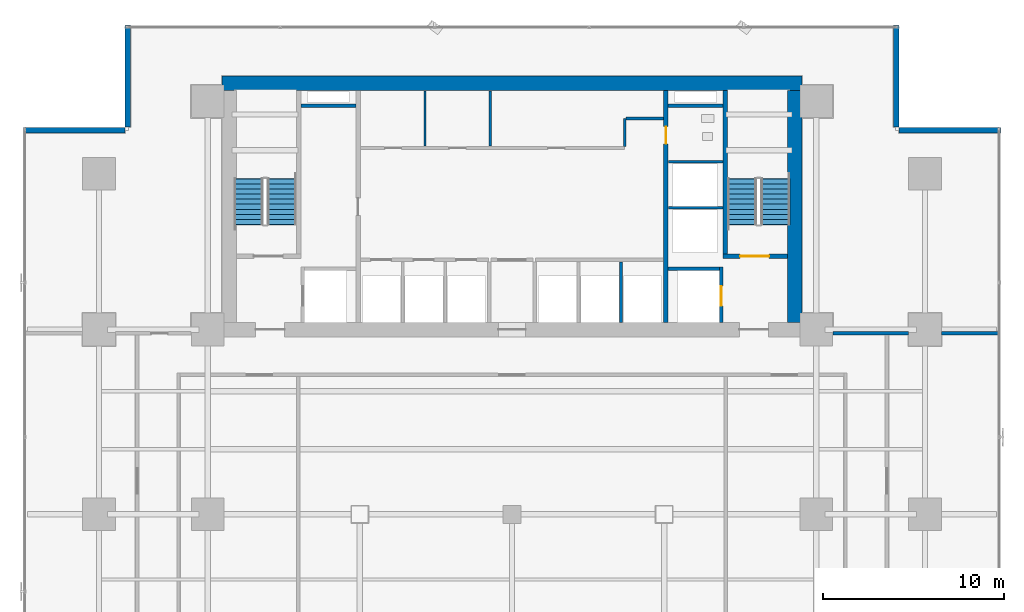
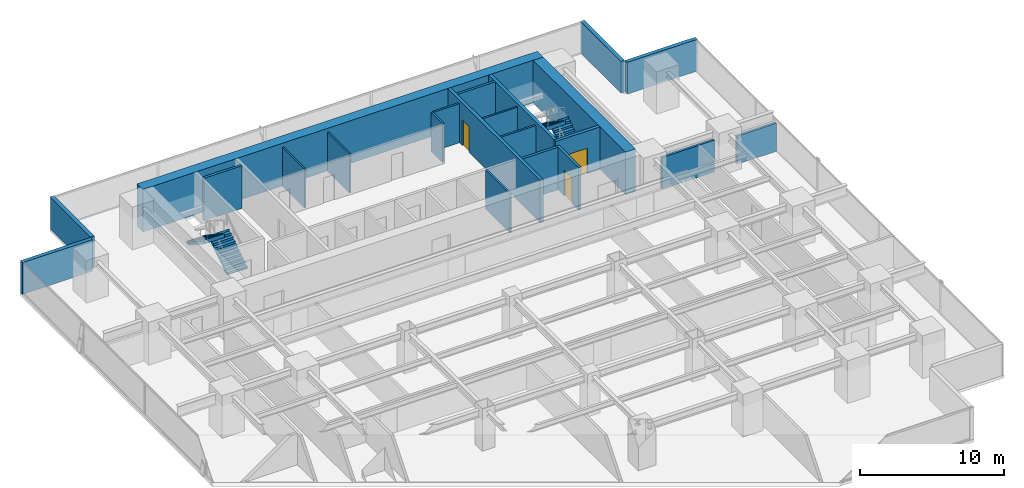
# One storey, part 26 of 33: 22 walls, 4 stair flights, 3 doors, 3 openings, 2 elements without a shape of their own.
"""IFC4 building model written with IfcOpenShell, lengths in metres."""

from ifc_helpers import new_model, si_unit, direction, frame, frame_2d, origin, place, context, subcontext, project, spatial, polyline, rectangle, outline, extrude, source, transform, mapped, material, layer, layer_set, type_object, element, fill, aggregate, save


model = new_model("IFC4")

# Units and contexts
model_context = context("Model", 3, precision=1e-05, world=origin(), true_north=direction((0.0, 1.0)))
body_context = subcontext(model_context, "Body", "Model", "MODEL_VIEW")
ifc_project = project(units=[si_unit("LENGTHUNIT", "METRE"), si_unit("AREAUNIT", "SQUARE_METRE"), si_unit("VOLUMEUNIT", "CUBIC_METRE"), si_unit("PLANEANGLEUNIT", "RADIAN"), si_unit("MASSUNIT", "GRAM", prefix="KILO")], contexts=[model_context])

# Site, building, storey
site_placement = place(None, origin())
site = spatial("IfcSite", under=ifc_project, at=site_placement, CompositionType="ELEMENT")
building_placement = place(site_placement, origin())
building = spatial("IfcBuilding", under=site, at=building_placement, Name="Sumidabori Civic Tower", CompositionType="ELEMENT")
storey_placement = place(building_placement, frame((0.0, 0.0, 66.800048828125)))
storey = spatial("IfcBuildingStorey", under=building, at=storey_placement, Name="L17", CompositionType="ELEMENT", Elevation=66.800048828125)

# Walls
ifc_material_1 = material(Name="Concrete C60/75", Category="concrete")
ifc_layer_1 = layer(ifc_material_1, 0.800048828125, Name="Concrete C60/75")
ifc_layer_set_1 = layer_set([ifc_layer_1], Name="Concrete C60/75")
wall_type_1 = type_object("IfcWallType", Name="WL-CORE-800", PredefinedType="SHEAR", material=ifc_layer_set_1)
shared_shape_1 = source(origin(), body_context, "Body", "SweptSolid", [
    extrude(rectangle(XDim=32.0, YDim=0.800048828125, at=frame_2d((16.0, 0.0))), origin(), (0.0, 0.0, 1.0), 3.599853515625),
])
wall_1_placement = place(storey_placement, frame((-16.0, 23.800048828125, 0.0), z_axis=(0.0, 0.0, 1.0), x_axis=(1.0, 0.0, 0.0)))
element("IfcWall", 1, at=wall_1_placement, inside=storey, type_object=wall_type_1, Name="Core Shear Wall L17 N", PredefinedType="SHEAR", context=body_context, shape_type="MappedRepresentation", body=[
    mapped(shared_shape_1, transform((0.0, 0.0, 0.0), x_axis=(1.0, 0.0, 0.0), y_axis=(0.0, 1.0, 0.0), z_axis=(0.0, 0.0, 1.0), scale=1.0)),
])
shared_shape_2 = source(origin(), body_context, "Body", "SweptSolid", [
    extrude(rectangle(XDim=12.7998046875, YDim=0.800048828125, at=frame_2d((6.39990234375, 0.0))), origin(), (0.0, 0.0, 1.0), 3.599853515625),
])
wall_2_placement = place(storey_placement, frame((15.60009765625, 10.60009765625, 0.0), z_axis=(0.0, 0.0, 1.0), x_axis=(0.0, 1.0, 0.0)))
element("IfcWall", 2, at=wall_2_placement, inside=storey, type_object=wall_type_1, Name="Core Shear Wall L17 E", PredefinedType="SHEAR", context=body_context, shape_type="MappedRepresentation", body=[
    mapped(shared_shape_2, transform((0.0, 0.0, 0.0), x_axis=(1.0, 0.0, 0.0), y_axis=(0.0, 1.0, 0.0), z_axis=(0.0, 0.0, 1.0), scale=1.0)),
])

# Wall, opening, door
ifc_material_2 = material(Name="Concrete C50/60", Category="concrete")
ifc_layer_2 = layer(ifc_material_2, 0.25, Name="Concrete C50/60")
ifc_layer_set_2 = layer_set([ifc_layer_2], Name="Concrete C50/60")
wall_type_2 = type_object("IfcWallType", Name="WL-SHAFT-250", PredefinedType="SHEAR", material=ifc_layer_set_2)
shared_shape_3 = source(origin(), body_context, "Body", "SweptSolid", [
    extrude(rectangle(XDim=12.7998046875, YDim=0.25, at=frame_2d((6.39990234375, 0.0))), origin(), (0.0, 0.0, 1.0), 3.599853515625),
])
wall_3_placement = place(storey_placement, frame((8.5, 10.60009765625, 0.0), z_axis=(0.0, 0.0, 1.0), x_axis=(0.0, 1.0, 0.0)))
wall_3 = element("IfcWall", 3, at=wall_3_placement, inside=storey, type_object=wall_type_2, Name="Core Shear Wall L17 WEB-E", PredefinedType="SHEAR", context=body_context, shape_type="MappedRepresentation", body=[
    mapped(shared_shape_3, transform((0.0, 0.0, 0.0), x_axis=(1.0, 0.0, 0.0), y_axis=(0.0, 1.0, 0.0), z_axis=(0.0, 0.0, 1.0), scale=1.0)),
])
opening_1_placement = place(wall_3_placement, frame((9.85009765625, 0.0, 0.0)))
opening_1 = element("IfcOpeningElement", 4, at=opening_1_placement, cuts=wall_3, Name="Opening DR-2", PredefinedType="OPENING", context=body_context, shape_type="SweptSolid", body=[
    extrude(rectangle(XDim=0.949951171875, YDim=2.14990234375, at=frame_2d((0.47509765625, 1.074951171875))), frame((0.0, 0.136962890625, 0.0), z_axis=(0.0, -1.0, 0.0), x_axis=(1.0, 0.0, 0.0)), (0.0, 0.0, 1.0), 0.27392578125),
])
ifc_material_3 = material(Name="Japanese Hinoki Timber", Category="wood")
door_type_1 = type_object("IfcDoorType", Name="DR-INT-950", OperationType="NOTDEFINED", PredefinedType="DOOR", material=ifc_material_3)
shared_shape_4 = source(origin(), body_context, "Body", "SweptSolid", [
    extrude(rectangle(XDim=0.949951171875, YDim=2.14990234375, at=frame_2d((0.47509765625, 1.074951171875))), frame((0.0, 0.02490234375, 0.0), z_axis=(0.0, -1.0, 0.0), x_axis=(1.0, 0.0, 0.0)), (0.0, 0.0, 1.0), 0.050048828125),
])
door_1_placement = place(opening_1_placement, origin())
door_1 = element("IfcDoor", 5, at=door_1_placement, inside=storey, type_object=door_type_1, Name="Door DR:L17:WC-ACC", OperationType="SINGLE_SWING_RIGHT", OverallHeight=2.14990234375, OverallWidth=0.949951171875, PredefinedType="DOOR", context=body_context, shape_type="MappedRepresentation", body=[
    mapped(shared_shape_4, transform((0.0, 0.0, 0.0), x_axis=(1.0, 0.0, 0.0), y_axis=(0.0, 1.0, 0.0), z_axis=(0.0, 0.0, 1.0), scale=1.0)),
])
fill(opening_1, door_1)

shared_shape_5 = source(origin(), body_context, "Body", "SweptSolid", [
    extrude(rectangle(XDim=3.554931640625, YDim=0.25, at=frame_2d((1.77734375, 0.0))), origin(), (0.0, 0.0, 1.0), 3.599853515625),
])
wall_4_placement = place(storey_placement, frame((11.64501953125, 14.25, 0.0), z_axis=(0.0, 0.0, 1.0), x_axis=(1.0, 0.0, 0.0)))
wall_4 = element("IfcWall", 6, at=wall_4_placement, inside=storey, type_object=wall_type_2, Name="Core Shear Wall L17 ST2-S", PredefinedType="SHEAR", context=body_context, shape_type="MappedRepresentation", body=[
    mapped(shared_shape_5, transform((0.0, 0.0, 0.0), x_axis=(1.0, 0.0, 0.0), y_axis=(0.0, 1.0, 0.0), z_axis=(0.0, 0.0, 1.0), scale=1.0)),
])
opening_2_placement = place(wall_4_placement, frame((0.949951171875, 0.0, 0.0)))
opening_2 = element("IfcOpeningElement", 7, at=opening_2_placement, cuts=wall_4, Name="Opening DR-FD4", PredefinedType="OPENING", context=body_context, shape_type="SweptSolid", body=[
    extrude(rectangle(XDim=1.60009765625, YDim=2.14990234375, at=frame_2d((0.800048828125, 1.074951171875))), frame((0.0, 0.136962890625, 0.0), z_axis=(0.0, -1.0, 0.0), x_axis=(1.0, 0.0, 0.0)), (0.0, 0.0, 1.0), 0.27392578125),
])
ifc_material_4 = material(Name="Steel SN490", Category="steel")
door_type_2 = type_object("IfcDoorType", Name="DR-FD4", OperationType="DOUBLE_DOOR_SINGLE_SWING", PredefinedType="DOOR", material=ifc_material_4)
shared_shape_6 = source(origin(), body_context, "Body", "SweptSolid", [
    extrude(rectangle(XDim=1.60009765625, YDim=2.14990234375, at=frame_2d((0.800048828125, 1.074951171875))), frame((0.0, 0.02490234375, 0.0), z_axis=(0.0, -1.0, 0.0), x_axis=(1.0, 0.0, 0.0)), (0.0, 0.0, 1.0), 0.050048828125),
])
door_2_placement = place(opening_2_placement, origin())
door_2 = element("IfcDoor", 8, at=door_2_placement, inside=storey, type_object=door_type_2, Name="Door DR:L17:ST2", OperationType="DOUBLE_DOOR_SINGLE_SWING", OverallHeight=2.14990234375, OverallWidth=1.60009765625, PredefinedType="DOOR", context=body_context, shape_type="MappedRepresentation", body=[
    mapped(shared_shape_6, transform((0.0, 0.0, 0.0), x_axis=(1.0, 0.0, 0.0), y_axis=(0.0, 1.0, 0.0), z_axis=(0.0, 0.0, 1.0), scale=1.0)),
])
fill(opening_2, door_2)

# Wall
shared_shape_7 = source(origin(), body_context, "Body", "SweptSolid", [
    extrude(rectangle(XDim=9.02490234375, YDim=0.25, at=frame_2d((4.512451171875, 0.0))), origin(), (0.0, 0.0, 1.0), 3.599853515625),
])
wall_5_placement = place(storey_placement, frame((11.77001953125, 14.375, 0.0), z_axis=(0.0, 0.0, 1.0), x_axis=(0.0, 1.0, 0.0)))
element("IfcWall", 9, at=wall_5_placement, inside=storey, type_object=wall_type_2, Name="Core Shear Wall L17 ST2-W", PredefinedType="SHEAR", context=body_context, shape_type="MappedRepresentation", body=[
    mapped(shared_shape_7, transform((0.0, 0.0, 0.0), x_axis=(1.0, 0.0, 0.0), y_axis=(0.0, 1.0, 0.0), z_axis=(0.0, 0.0, 1.0), scale=1.0)),
])

# Wall, opening, door
ifc_layer_3 = layer(ifc_material_2, 0.199951171875, Name="Concrete C50/60")
ifc_layer_set_3 = layer_set([ifc_layer_3], Name="Concrete C50/60")
wall_type_3 = type_object("IfcWallType", Name="WL-SHAFT-200", PredefinedType="SHEAR", material=ifc_layer_set_3)
shared_shape_8 = source(origin(), body_context, "Body", "SweptSolid", [
    extrude(rectangle(XDim=3.0498046875, YDim=0.199951171875, at=frame_2d((1.52490234375, 0.0))), origin(), (0.0, 0.0, 1.0), 3.599853515625),
])
wall_6_placement = place(storey_placement, frame((11.550048828125, 10.60009765625, 0.0), z_axis=(0.0, 0.0, 1.0), x_axis=(0.0, 1.0, 0.0)))
wall_6 = element("IfcWall", 10, at=wall_6_placement, inside=storey, type_object=wall_type_3, Name="Core Shear Wall L17 EL2-E", PredefinedType="SHEAR", context=body_context, shape_type="MappedRepresentation", body=[
    mapped(shared_shape_8, transform((0.0, 0.0, 0.0), x_axis=(1.0, 0.0, 0.0), y_axis=(0.0, 1.0, 0.0), z_axis=(0.0, 0.0, 1.0), scale=1.0)),
])
opening_3_placement = place(wall_6_placement, frame((0.89990234375, 0.0, 0.0)))
opening_3 = element("IfcOpeningElement", 11, at=opening_3_placement, cuts=wall_6, Name="Opening LD-2", PredefinedType="OPENING", context=body_context, shape_type="SweptSolid", body=[
    extrude(rectangle(XDim=1.10009765625, YDim=2.14990234375, at=frame_2d((0.550048828125, 1.074951171875))), frame((0.0, 0.11181640625, 0.0), z_axis=(0.0, -1.0, 0.0), x_axis=(1.0, 0.0, 0.0)), (0.0, 0.0, 1.0), 0.223876953125),
])
ifc_material_5 = material(Name="Stainless Steel Hairline Finish", Category="steel")
door_type_3 = type_object("IfcDoorType", Name="DR-LD2", OperationType="DOUBLE_DOOR_SLIDING", PredefinedType="DOOR", material=ifc_material_5)
shared_shape_9 = source(origin(), body_context, "Body", "SweptSolid", [
    extrude(rectangle(XDim=1.10009765625, YDim=2.14990234375, at=frame_2d((0.550048828125, 1.074951171875))), frame((0.0, 0.02490234375, 0.0), z_axis=(0.0, -1.0, 0.0), x_axis=(1.0, 0.0, 0.0)), (0.0, 0.0, 1.0), 0.050048828125),
])
door_3_placement = place(opening_3_placement, origin())
door_3 = element("IfcDoor", 12, at=door_3_placement, inside=storey, type_object=door_type_3, Name="Door DR:L17:LD-EL2", OperationType="DOUBLE_DOOR_SLIDING", OverallHeight=2.14990234375, OverallWidth=1.10009765625, PredefinedType="DOOR", context=body_context, shape_type="MappedRepresentation", body=[
    mapped(shared_shape_9, transform((0.0, 0.0, 0.0), x_axis=(1.0, 0.0, 0.0), y_axis=(0.0, 1.0, 0.0), z_axis=(0.0, 0.0, 1.0), scale=1.0)),
])
fill(opening_3, door_3)

# Walls
shared_shape_10 = source(origin(), body_context, "Body", "SweptSolid", [
    extrude(rectangle(XDim=2.824951171875, YDim=0.199951171875, at=frame_2d((1.41259765625, 0.0))), origin(), (0.0, 0.0, 1.0), 3.599853515625),
])
wall_7_placement = place(storey_placement, frame((8.625, 13.550048828125, 0.0), z_axis=(0.0, 0.0, 1.0), x_axis=(1.0, 0.0, 0.0)))
element("IfcWall", 13, at=wall_7_placement, inside=storey, type_object=wall_type_3, Name="Core Shear Wall L17 EL2-N", PredefinedType="SHEAR", context=body_context, shape_type="MappedRepresentation", body=[
    mapped(shared_shape_10, transform((0.0, 0.0, 0.0), x_axis=(1.0, 0.0, 0.0), y_axis=(0.0, 1.0, 0.0), z_axis=(0.0, 0.0, 1.0), scale=1.0)),
])
shared_shape_11 = source(origin(), body_context, "Body", "SweptSolid", [
    extrude(rectangle(XDim=3.02001953125, YDim=0.199951171875, at=frame_2d((1.510009765625, 0.0))), origin(), (0.0, 0.0, 1.0), 3.599853515625),
])
for number, where, z_axis, x_axis, name in (
    (14, (-11.64501953125, 22.550048828125, 0.0), (0.0, 0.0, 1.0), (1.0, 0.0, 0.0), "Core Shear Wall L17 RIS1-S"),
    (15, (8.625, 22.550048828125, 0.0), (0.0, 0.0, 1.0), (1.0, 0.0, 0.0), "Core Shear Wall L17 RIS2-S"),
):
    element("IfcWall", number, at=place(storey_placement, frame(where, z_axis=z_axis, x_axis=x_axis)), inside=storey, type_object=wall_type_3, Name=name, PredefinedType="SHEAR", context=body_context, shape_type="MappedRepresentation", body=[
        mapped(shared_shape_11, transform((0.0, 0.0, 0.0), x_axis=(1.0, 0.0, 0.0), y_axis=(0.0, 1.0, 0.0), z_axis=(0.0, 0.0, 1.0), scale=1.0)),
    ])
ifc_material_6 = material(Name="Precast concrete C40/50", Category="concrete")
ifc_layer_4 = layer(ifc_material_6, 0.300048828125, Name="Precast concrete C40/50")
ifc_layer_set_4 = layer_set([ifc_layer_4], Name="Precast concrete C40/50")
wall_type_4 = type_object("IfcWallType", Name="WL-EXT-POD300", PredefinedType="STANDARD", material=ifc_layer_set_4)
shared_shape_12 = source(origin(), body_context, "Body", "SweptSolid", [
    extrude(rectangle(XDim=5.60986328125, YDim=0.300048828125, at=frame_2d((2.804931640625, 0.0))), origin(), (0.0, 0.0, 1.0), 2.679931640625),
])
for number, where, z_axis, x_axis, name in (
    (16, (26.97998046875, 21.199951171875, 0.0), (0.0, 0.0, 1.0), (-1.0, 0.0, 0.0), "Notched Corner Spandrel Band L17-05"),
    (17, (21.199951171875, 21.3701171875, 0.0), (0.0, 0.0, 1.0), (0.0, 1.0, 0.0), "Notched Corner Spandrel Band L17-06"),
    (18, (-21.199951171875, 26.97998046875, 0.0), (0.0, 0.0, 1.0), (0.0, -1.0, 0.0), "Notched Corner Spandrel Band L17-08"),
    (19, (-21.3701171875, 21.199951171875, 0.0), (0.0, 0.0, 1.0), (-1.0, 0.0, 0.0), "Notched Corner Spandrel Band L17-09"),
):
    element("IfcWall", number, at=place(storey_placement, frame(where, z_axis=z_axis, x_axis=x_axis)), inside=storey, type_object=wall_type_4, Name=name, PredefinedType="STANDARD", context=body_context, shape_type="MappedRepresentation", body=[
        mapped(shared_shape_12, transform((0.0, 0.0, 0.0), x_axis=(1.0, 0.0, 0.0), y_axis=(0.0, 1.0, 0.0), z_axis=(0.0, 0.0, 1.0), scale=1.0)),
    ])
ifc_material_7 = material(Name="Gypsum Plasterboard Acoustic Partition")
ifc_layer_5 = layer(ifc_material_7, 0.14990234375, Name="Gypsum Plasterboard Acoustic Partition")
ifc_layer_set_5 = layer_set([ifc_layer_5], Name="Gypsum Plasterboard Acoustic Partition")
wall_type_5 = type_object("IfcWallType", Name="WL-PART-150", PredefinedType="PARTITIONING", material=ifc_layer_set_5)
shared_shape_13 = source(origin(), body_context, "Body", "SweptSolid", [
    extrude(rectangle(XDim=3.010009765625, YDim=0.14990234375, at=frame_2d((1.5048828125, 0.0))), origin(), (0.0, 0.0, 1.0), 3.300048828125),
])
for number, where, z_axis, x_axis, name in (
    (20, (8.6298828125, 16.919921875, 0.0), (0.0, 0.0, 1.0), (1.0, 0.0, 0.0), "Interior Partition WL:L17:DIV-OBS1"),
    (21, (8.6298828125, 19.469970703125, 0.0), (0.0, 0.0, 1.0), (1.0, 0.0, 0.0), "Interior Partition WL:L17:DIV-OBS2"),
):
    element("IfcWall", number, at=place(storey_placement, frame(where, z_axis=z_axis, x_axis=x_axis)), inside=storey, type_object=wall_type_5, Name=name, PredefinedType="PARTITIONING", context=body_context, shape_type="MappedRepresentation", body=[
        mapped(shared_shape_13, transform((0.0, 0.0, 0.0), x_axis=(1.0, 0.0, 0.0), y_axis=(0.0, 1.0, 0.0), z_axis=(0.0, 0.0, 1.0), scale=1.0)),
    ])
shared_shape_14 = source(origin(), body_context, "Body", "SweptSolid", [
    extrude(rectangle(XDim=1.550048828125, YDim=0.14990234375, at=frame_2d((0.77490234375, 0.0))), origin(), (0.0, 0.0, 1.0), 3.300048828125),
])
wall_8_placement = place(storey_placement, frame((6.219970703125, 20.300048828125, 0.0), z_axis=(0.0, 0.0, 1.0), x_axis=(0.0, 1.0, 0.0)))
element("IfcWall", 22, at=wall_8_placement, inside=storey, type_object=wall_type_5, Name="Interior Partition WL:L17:CBAND-ME1", PredefinedType="PARTITIONING", context=body_context, shape_type="MappedRepresentation", body=[
    mapped(shared_shape_14, transform((0.0, 0.0, 0.0), x_axis=(1.0, 0.0, 0.0), y_axis=(0.0, 1.0, 0.0), z_axis=(0.0, 0.0, 1.0), scale=1.0)),
])
shared_shape_15 = source(origin(), body_context, "Body", "SweptSolid", [
    extrude(rectangle(XDim=2.070068359375, YDim=0.14990234375, at=frame_2d((1.03515625, 0.0))), origin(), (0.0, 0.0, 1.0), 3.300048828125),
])
wall_9_placement = place(storey_placement, frame((6.300048828125, 21.85009765625, 0.0), z_axis=(0.0, 0.0, 1.0), x_axis=(1.0, 0.0, 0.0)))
element("IfcWall", 23, at=wall_9_placement, inside=storey, type_object=wall_type_5, Name="Interior Partition WL:L17:CBAND-ME2", PredefinedType="PARTITIONING", context=body_context, shape_type="MappedRepresentation", body=[
    mapped(shared_shape_15, transform((0.0, 0.0, 0.0), x_axis=(1.0, 0.0, 0.0), y_axis=(0.0, 1.0, 0.0), z_axis=(0.0, 0.0, 1.0), scale=1.0)),
])
shared_shape_16 = source(origin(), body_context, "Body", "SweptSolid", [
    extrude(rectangle(XDim=3.33984375, YDim=0.14990234375, at=frame_2d((1.669921875, 0.0))), origin(), (0.0, 0.0, 1.0), 3.300048828125),
])
wall_10_placement = place(storey_placement, frame((6.02001953125, 10.60009765625, 0.0), z_axis=(0.0, 0.0, 1.0), x_axis=(0.0, 1.0, 0.0)))
element("IfcWall", 24, at=wall_10_placement, inside=storey, type_object=wall_type_5, Name="Interior Partition WL:L17:DIV-PLM2", PredefinedType="PARTITIONING", context=body_context, shape_type="MappedRepresentation", body=[
    mapped(shared_shape_16, transform((0.0, 0.0, 0.0), x_axis=(1.0, 0.0, 0.0), y_axis=(0.0, 1.0, 0.0), z_axis=(0.0, 0.0, 1.0), scale=1.0)),
])
ifc_layer_6 = layer(ifc_material_7, 0.1201171875, Name="Gypsum Plasterboard Acoustic Partition")
ifc_layer_set_6 = layer_set([ifc_layer_6], Name="Gypsum Plasterboard Acoustic Partition")
wall_type_6 = type_object("IfcWallType", Name="WL-PART-120", PredefinedType="PARTITIONING", material=ifc_layer_set_6)
shared_shape_17 = source(origin(), body_context, "Body", "SweptSolid", [
    extrude(rectangle(XDim=3.0400390625, YDim=0.1201171875, at=frame_2d((1.52001953125, 0.0))), origin(), (0.0, 0.0, 1.0), 3.300048828125),
])
for number, where, z_axis, x_axis, name in (
    (25, (-4.800048828125, 20.320068359375, 0.0), (0.0, 0.0, 1.0), (0.0, 1.0, 0.0), "Interior Partition WL:L17:LV8-S1"),
    (26, (-1.199951171875, 20.320068359375, 0.0), (0.0, 0.0, 1.0), (0.0, 1.0, 0.0), "Interior Partition WL:L17:LV8-S2"),
):
    element("IfcWall", number, at=place(storey_placement, frame(where, z_axis=z_axis, x_axis=x_axis)), inside=storey, type_object=wall_type_6, Name=name, PredefinedType="PARTITIONING", context=body_context, shape_type="MappedRepresentation", body=[
        mapped(shared_shape_17, transform((0.0, 0.0, 0.0), x_axis=(1.0, 0.0, 0.0), y_axis=(0.0, 1.0, 0.0), z_axis=(0.0, 0.0, 1.0), scale=1.0)),
    ])
ifc_layer_7 = layer(ifc_material_7, 0.179931640625, Name="Gypsum Plasterboard Acoustic Partition")
ifc_layer_set_7 = layer_set([ifc_layer_7], Name="Gypsum Plasterboard Acoustic Partition")
wall_type_7 = type_object("IfcWallType", Name="WL-PART-180", PredefinedType="PARTITIONING", material=ifc_layer_set_7)
shared_shape_18 = source(origin(), body_context, "Body", "SweptSolid", [
    extrude(rectangle(XDim=3.14013671875, YDim=0.179931640625, at=frame_2d((1.570068359375, 0.0))), origin(), (0.0, 0.0, 1.0), 2.375),
])
wall_11_placement = place(storey_placement, frame((23.7099609375, 10.0, 0.0), z_axis=(0.0, 0.0, 1.0), x_axis=(1.0, 0.0, 0.0)))
element("IfcWall", 27, at=wall_11_placement, inside=storey, type_object=wall_type_7, Name="Interior Partition WL:L17:FLK-NE-2", PredefinedType="PARTITIONING", context=body_context, shape_type="MappedRepresentation", body=[
    mapped(shared_shape_18, transform((0.0, 0.0, 0.0), x_axis=(1.0, 0.0, 0.0), y_axis=(0.0, 1.0, 0.0), z_axis=(0.0, 0.0, 1.0), scale=1.0)),
])
shared_shape_19 = source(origin(), body_context, "Body", "SweptSolid", [
    extrude(rectangle(XDim=4.179931640625, YDim=0.179931640625, at=frame_2d((2.08984375, 0.0))), origin(), (0.0, 0.0, 1.0), 2.68505859375),
])
wall_12_placement = place(storey_placement, frame((17.7099609375, 10.0, 0.0), z_axis=(0.0, 0.0, 1.0), x_axis=(1.0, 0.0, 0.0)))
element("IfcWall", 28, at=wall_12_placement, inside=storey, type_object=wall_type_7, Name="Interior Partition WL:L17:FLK-NE-1", PredefinedType="PARTITIONING", context=body_context, shape_type="MappedRepresentation", body=[
    mapped(shared_shape_19, transform((0.0, 0.0, 0.0), x_axis=(1.0, 0.0, 0.0), y_axis=(0.0, 1.0, 0.0), z_axis=(0.0, 0.0, 1.0), scale=1.0)),
])

# Stair, stair flights
ifc_material_8 = material(Name="Concrete C40/50", Category="concrete")
stair_type = type_object("IfcStairType", Name="ST-CORE-1600", PredefinedType="HALF_TURN_STAIR", material=ifc_material_8)
stair_1_placement = place(storey_placement, origin())
stair_1 = element("IfcStair", 29, at=stair_1_placement, inside=storey, type_object=stair_type, Name="L17 ST-1", PredefinedType="HALF_TURN_STAIR")
stair_flight_type = type_object("IfcStairFlightType", Name="SF-CORE-1600", PredefinedType="STRAIGHT", material=ifc_material_8)
shared_shape_20 = source(origin(), body_context, "Body", "SweptSolid", [
    extrude(outline(polyline([(-0.02490234375, 0.0), (-0.02490234375, 0.0400390625), (0.0, 0.0400390625), (0.0, 0.179931640625), (0.280029296875, 0.179931640625), (0.280029296875, 0.360107421875), (0.56005859375, 0.360107421875), (0.56005859375, 0.5400390625), (0.840087890625, 0.5400390625), (0.840087890625, 0.719970703125), (1.1201171875, 0.719970703125), (1.1201171875, 0.89990234375), (1.39990234375, 0.89990234375), (1.39990234375, 1.080078125), (1.679931640625, 1.080078125), (1.679931640625, 1.260009765625), (1.9599609375, 1.260009765625), (1.9599609375, 1.43994140625), (2.239990234375, 1.43994140625), (2.239990234375, 1.6201171875), (2.52001953125, 1.6201171875), (2.52001953125, 1.800048828125), (2.544921875, 1.800048828125), (2.544921875, 1.650146484375), (2.52001953125, 1.44189453125), (0.277099609375, 0.0), (-0.02490234375, 0.0)])), frame((0.0, 0.800048828125, 0.0), z_axis=(0.0, -1.0, 0.0), x_axis=(1.0, 0.0, 0.0)), (0.0, 0.0, 1.0), 1.60009765625),
])
stair_flight_1_placement = place(storey_placement, frame((-12.699951171875, 16.0, 0.0), z_axis=(0.0, 0.0, 1.0), x_axis=(0.0, 1.0, 0.0)))
stair_flight_1 = element("IfcStairFlight", 30, at=stair_flight_1_placement, type_object=stair_flight_type, Name="ST-1 flight 1", NumberOfRisers=10, NumberOfTreads=9, PredefinedType="STRAIGHT", RiserHeight=0.18, TreadLength=0.28, context=body_context, shape_type="MappedRepresentation", body=[
    mapped(shared_shape_20, transform((0.0, 0.0, 0.0), x_axis=(1.0, 0.0, 0.0), y_axis=(0.0, 1.0, 0.0), z_axis=(0.0, 0.0, 1.0), scale=1.0)),
])
stair_flight_2_placement = place(storey_placement, frame((-14.5400390625, 18.52001953125, 1.800048828125), z_axis=(0.0, 0.0, 1.0), x_axis=(0.0, -1.0, 0.0)))
stair_flight_2 = element("IfcStairFlight", 31, at=stair_flight_2_placement, type_object=stair_flight_type, Name="ST-1 flight 2", NumberOfRisers=10, NumberOfTreads=9, PredefinedType="STRAIGHT", RiserHeight=0.18, TreadLength=0.28, context=body_context, shape_type="MappedRepresentation", body=[
    mapped(shared_shape_20, transform((0.0, 0.0, 0.0), x_axis=(1.0, 0.0, 0.0), y_axis=(0.0, 1.0, 0.0), z_axis=(0.0, 0.0, 1.0), scale=1.0)),
])
aggregate(stair_1, [stair_flight_1, stair_flight_2])

stair_2_placement = place(storey_placement, origin())
stair_2 = element("IfcStair", 32, at=stair_2_placement, inside=storey, type_object=stair_type, Name="L17 ST-2", PredefinedType="HALF_TURN_STAIR")
stair_flight_3_placement = place(storey_placement, frame((14.5400390625, 16.0, 0.0), z_axis=(0.0, 0.0, 1.0), x_axis=(0.0, 1.0, 0.0)))
stair_flight_3 = element("IfcStairFlight", 33, at=stair_flight_3_placement, type_object=stair_flight_type, Name="ST-2 flight 1", NumberOfRisers=10, NumberOfTreads=9, PredefinedType="STRAIGHT", RiserHeight=0.18, TreadLength=0.28, context=body_context, shape_type="MappedRepresentation", body=[
    mapped(shared_shape_20, transform((0.0, 0.0, 0.0), x_axis=(1.0, 0.0, 0.0), y_axis=(0.0, 1.0, 0.0), z_axis=(0.0, 0.0, 1.0), scale=1.0)),
])
stair_flight_4_placement = place(storey_placement, frame((12.699951171875, 18.52001953125, 1.800048828125), z_axis=(0.0, 0.0, 1.0), x_axis=(0.0, -1.0, 0.0)))
stair_flight_4 = element("IfcStairFlight", 34, at=stair_flight_4_placement, type_object=stair_flight_type, Name="ST-2 flight 2", NumberOfRisers=10, NumberOfTreads=9, PredefinedType="STRAIGHT", RiserHeight=0.18, TreadLength=0.28, context=body_context, shape_type="MappedRepresentation", body=[
    mapped(shared_shape_20, transform((0.0, 0.0, 0.0), x_axis=(1.0, 0.0, 0.0), y_axis=(0.0, 1.0, 0.0), z_axis=(0.0, 0.0, 1.0), scale=1.0)),
])
aggregate(stair_2, [stair_flight_3, stair_flight_4])

save(model, "model.ifc")
